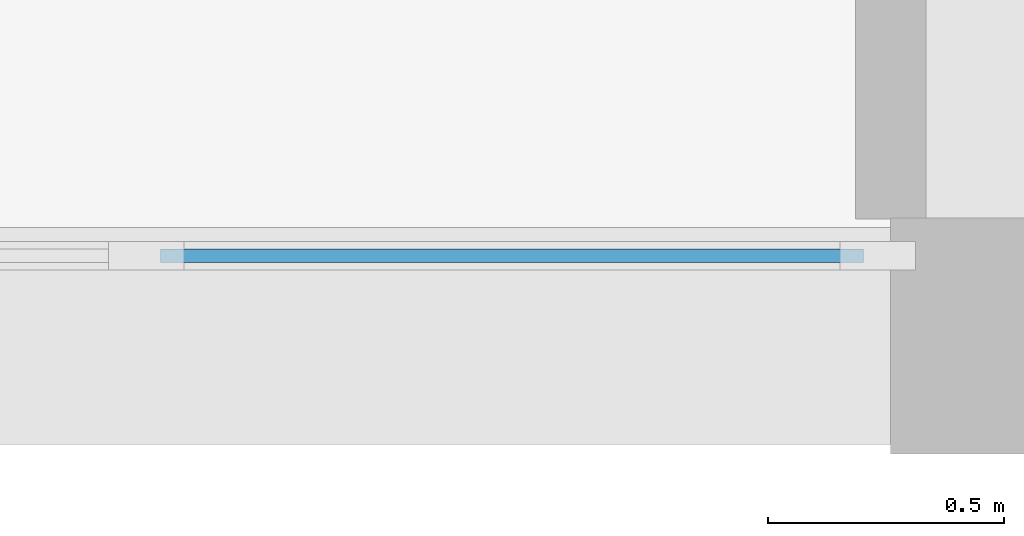
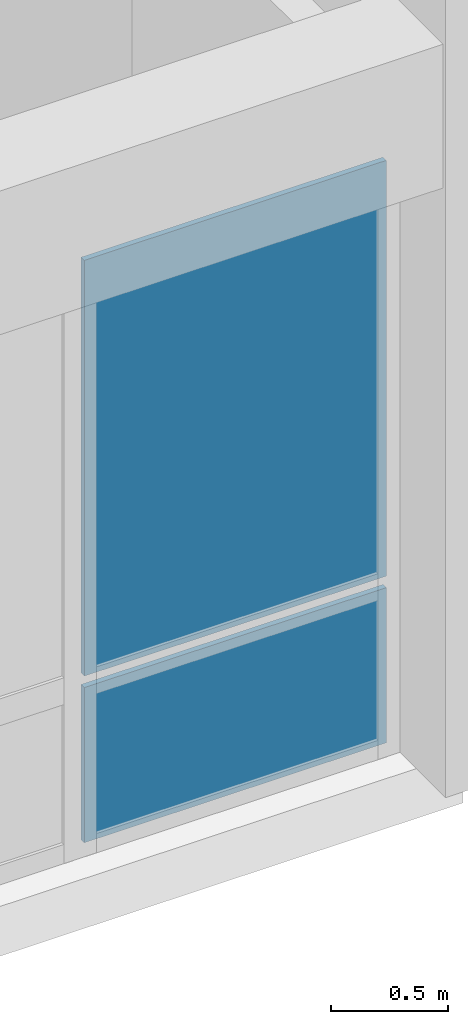
# One storey, part 69 of 89: 2 plates, 1 element without a shape of its own.
"""IFC4 building model written with IfcOpenShell, lengths in metres."""

from ifc_helpers import new_model, si_unit, direction, frame, origin, origin_2d, place, context, subcontext, project, spatial, rectangle, extrude, material, layer, layer_set, type_object, element, aggregate, save


model = new_model("IFC4")

# Units and contexts
model_context = context("Model", 3, precision=1e-05, world=origin(), true_north=direction((0.0, 1.0)))
body_context = subcontext(model_context, "Body", "Model", "MODEL_VIEW")
ifc_project = project(units=[si_unit("LENGTHUNIT", "METRE"), si_unit("AREAUNIT", "SQUARE_METRE"), si_unit("VOLUMEUNIT", "CUBIC_METRE"), si_unit("PLANEANGLEUNIT", "RADIAN"), si_unit("MASSUNIT", "GRAM", prefix="KILO")], contexts=[model_context])

# Site, building, storey
site_placement = place(None, origin())
site = spatial("IfcSite", under=ifc_project, at=site_placement, CompositionType="ELEMENT")
building_placement = place(site_placement, origin())
building = spatial("IfcBuilding", under=site, at=building_placement, Name="Malvenik Polytechnic", CompositionType="ELEMENT")
storey_placement = place(building_placement, frame((0.0, 0.0, 13.5)))
storey = spatial("IfcBuildingStorey", under=building, at=storey_placement, Name="L03", CompositionType="ELEMENT", Elevation=13.5)

# Curtain wall, plates
ifc_material_1 = material(Name="Anodised aluminium 6060-T6", Category="aluminium")
curtain_wall_type = type_object("IfcCurtainWallType", Name="ARC-CW-CW-02", PredefinedType="NOTDEFINED", material=ifc_material_1)
curtain_wall_placement = place(storey_placement, origin())
curtain_wall = element("IfcCurtainWall", 1, at=curtain_wall_placement, inside=storey, type_object=curtain_wall_type, Name="Unitised Curtain Wall CW-02 L03 #182", PredefinedType="NOTDEFINED")
ifc_material_2 = material(Name="Insulated low-E double glazing 8-16-8", Category="glass")
ifc_layer_1 = layer(ifc_material_2, 0.028076171875)
ifc_layer_set_1 = layer_set([ifc_layer_1], Name="Insulated low-E double glazing 8-16-8")
plate_type_1 = type_object("IfcPlateType", Name="ARC-CWP-CP-GLZ28", PredefinedType="CURTAIN_PANEL", material=ifc_layer_set_1)
plate_1_placement = place(storey_placement, frame((133.3466796875, 115.3701171875, 0.929931640625), z_axis=(0.0, 0.0, 1.0), x_axis=(-1.0, 0.0, 0.0)))
plate_1 = element("IfcPlate", 2, at=plate_1_placement, type_object=plate_type_1, Name="CW-02 panel 1.2", PredefinedType="CURTAIN_PANEL", context=body_context, shape_type="SweptSolid", body=[
    extrude(rectangle(XDim=1.49072265625, YDim=0.028076171875, at=origin_2d()), origin(), (0.0, 0.0, 1.0), 2.169921875),
])
ifc_material_3 = material(Name="Insulated aluminium spandrel cassette 42mm", Category="aluminium")
ifc_layer_2 = layer(ifc_material_3, 0.0419921875)
ifc_layer_set_2 = layer_set([ifc_layer_2], Name="Insulated aluminium spandrel cassette 42mm")
plate_type_2 = type_object("IfcPlateType", Name="ARC-CWP-CP-SPN42", PredefinedType="CURTAIN_PANEL", material=ifc_layer_set_2)
plate_2_placement = place(storey_placement, frame((133.3466796875, 115.3701171875, 0.06005859375), z_axis=(0.0, 0.0, 1.0), x_axis=(-1.0, 0.0, 0.0)))
plate_2 = element("IfcPlate", 3, at=plate_2_placement, type_object=plate_type_2, Name="CW-02 panel 1.1", PredefinedType="CURTAIN_PANEL", context=body_context, shape_type="SweptSolid", body=[
    extrude(rectangle(XDim=1.49072265625, YDim=0.028076171875, at=origin_2d()), origin(), (0.0, 0.0, 1.0), 0.81005859375),
])
aggregate(curtain_wall, [plate_2, plate_1])

save(model, "model.ifc")
